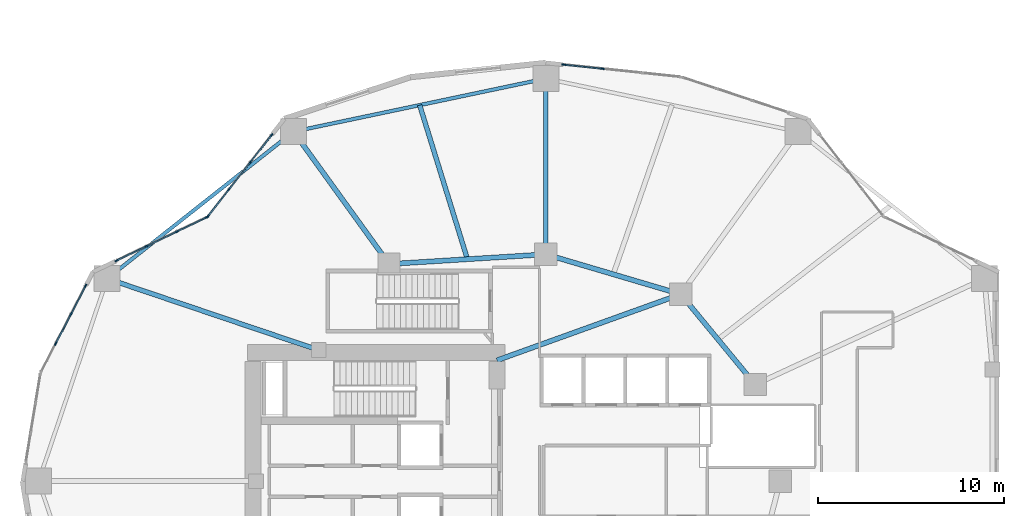
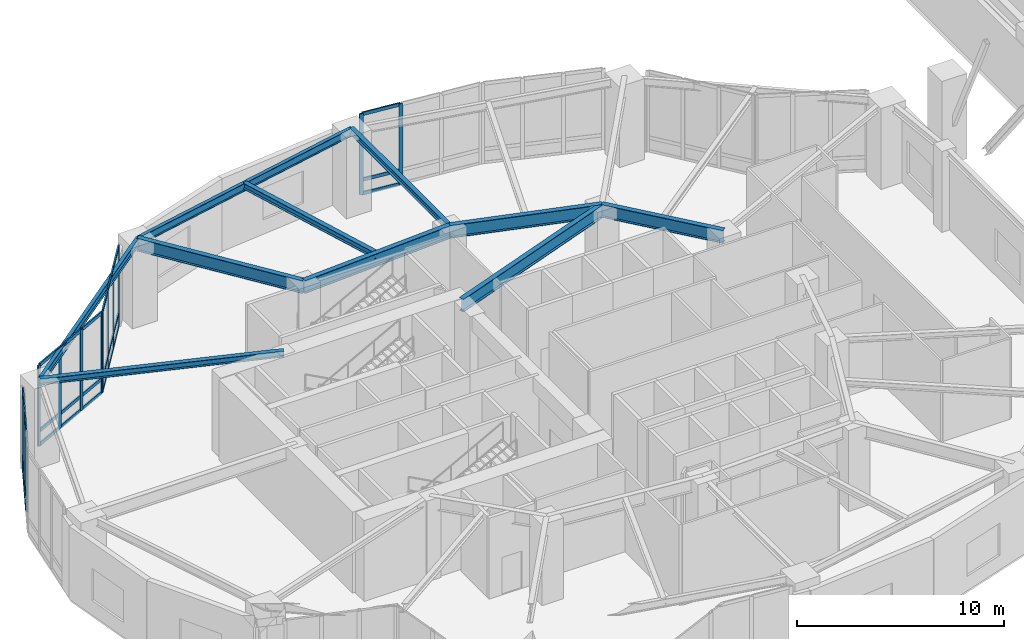
# One storey, part 6 of 24: 40 members, 10 beams, 4 elements without a shape of their own.
"""IFC4 building model written with IfcOpenShell, lengths in metres."""

from ifc_helpers import new_model, si_unit, direction, frame, origin, origin_2d, place, context, subcontext, project, spatial, rectangle, i_section, extrude, material, layer, layer_set, material_profile, profile_set, type_object, element, aggregate, save


model = new_model("IFC4")

# Units and contexts
model_context = context("Model", 3, precision=1e-05, world=origin(), true_north=direction((0.0, 1.0)))
body_context = subcontext(model_context, "Body", "Model", "MODEL_VIEW")
ifc_project = project(units=[si_unit("LENGTHUNIT", "METRE"), si_unit("AREAUNIT", "SQUARE_METRE"), si_unit("VOLUMEUNIT", "CUBIC_METRE"), si_unit("PLANEANGLEUNIT", "RADIAN"), si_unit("MASSUNIT", "GRAM", prefix="KILO")], contexts=[model_context])

# Site, building, storey
site_placement = place(None, origin())
site = spatial("IfcSite", under=ifc_project, at=site_placement, CompositionType="ELEMENT")
building_placement = place(site_placement, origin())
building = spatial("IfcBuilding", under=site, at=building_placement, Name="Kolvaren Gate Tower and Convention Centre", CompositionType="ELEMENT")
storey_placement = place(building_placement, frame((0.0, 0.0, 10.0)))
storey = spatial("IfcBuildingStorey", under=building, at=storey_placement, Name="L02", CompositionType="ELEMENT", Elevation=10.0)

# Curtain wall, members
ifc_material_1 = material(Name="Anodized Architectural Aluminium Alloy 6063-T6", Category="aluminium")
ifc_layer = layer(ifc_material_1, 0.179931640625)
ifc_layer_set = layer_set([ifc_layer], Name="Anodized Architectural Aluminium Alloy 6063-T6")
curtain_wall_type = type_object("IfcCurtainWallType", Name="CW-POD-GLZ", PredefinedType="NOTDEFINED", material=ifc_layer_set)
curtain_wall_1_placement = place(storey_placement, origin())
curtain_wall_1 = element("IfcCurtainWall", 1, at=curtain_wall_1_placement, inside=storey, type_object=curtain_wall_type, Name="Tower L02 Unitised Curtain Wall CW-POD-GLZ Bay 05", PredefinedType="NOTDEFINED")
ifc_material_profile_1 = material_profile(ifc_material_1, rectangle(XDim=0.074951171875, YDim=0.199951171875, at=origin_2d()), Name="CW-MEM-MUL-200")
ifc_profile_set_1 = profile_set([ifc_material_profile_1], Name="Anodized Architectural Aluminium Alloy 6063-T6")
member_type_1 = type_object("IfcMemberType", Name="CW-MEM-MUL-200", PredefinedType="MULLION", material=ifc_profile_set_1)
member_1_placement = place(storey_placement, frame((31.086181640625, 49.398681640625, 0.0), z_axis=(0.0, 0.0, 1.0), x_axis=(0.104748319841, 0.994498762941, 0.0)))
member_1 = element("IfcMember", 2, at=member_1_placement, type_object=member_type_1, Name="CW-01 mullion 1", PredefinedType="MULLION", context=body_context, shape_type="SweptSolid", body=[
    extrude(rectangle(XDim=0.074951171875, YDim=0.199951171875, at=origin_2d()), origin(), (0.0, 0.0, 1.0), 4.760009765625),
])
member_2_placement = place(storey_placement, frame((33.16748046875, 49.1796875, 0.0), z_axis=(0.0, 0.0, 1.0), x_axis=(0.104748319841, 0.994498762941, 0.0)))
member_2 = element("IfcMember", 3, at=member_2_placement, type_object=member_type_1, Name="CW-01 mullion 2", PredefinedType="MULLION", context=body_context, shape_type="SweptSolid", body=[
    extrude(rectangle(XDim=0.074951171875, YDim=0.199951171875, at=origin_2d()), origin(), (0.0, 0.0, 1.0), 4.760009765625),
])

curtain_wall_2_placement = place(storey_placement, origin())
curtain_wall_2 = element("IfcCurtainWall", 4, at=curtain_wall_2_placement, inside=storey, type_object=curtain_wall_type, Name="Tower L02 Unitised Curtain Wall CW-POD-GLZ Bay 08", PredefinedType="NOTDEFINED")
member_3_placement = place(storey_placement, frame((11.957763671875, 41.242431640625, 0.0), z_axis=(0.0, 0.0, 1.0), x_axis=(-0.787416755422, 0.616421003276, 0.0)))
member_3 = element("IfcMember", 5, at=member_3_placement, type_object=member_type_1, Name="CW-01 mullion 1", PredefinedType="MULLION", context=body_context, shape_type="SweptSolid", body=[
    extrude(rectangle(XDim=0.074951171875, YDim=0.199951171875, at=origin_2d()), origin(), (0.0, 0.0, 1.0), 4.760009765625),
])
member_4_placement = place(storey_placement, frame((13.08935546875, 42.68798828125, 0.0), z_axis=(0.0, 0.0, 1.0), x_axis=(-0.787416755422, 0.616421003276, 0.0)))
member_4 = element("IfcMember", 6, at=member_4_placement, type_object=member_type_1, Name="CW-01 mullion 2", PredefinedType="MULLION", context=body_context, shape_type="SweptSolid", body=[
    extrude(rectangle(XDim=0.074951171875, YDim=0.199951171875, at=origin_2d()), origin(), (0.0, 0.0, 1.0), 4.760009765625),
])
member_5_placement = place(storey_placement, frame((14.244140625, 44.1630859375, 0.0), z_axis=(0.0, 0.0, 1.0), x_axis=(-0.787416755422, 0.616421003276, 0.0)))
member_5 = element("IfcMember", 7, at=member_5_placement, type_object=member_type_1, Name="CW-01 mullion 3", PredefinedType="MULLION", context=body_context, shape_type="SweptSolid", body=[
    extrude(rectangle(XDim=0.074951171875, YDim=0.199951171875, at=origin_2d()), origin(), (0.0, 0.0, 1.0), 4.760009765625),
])
member_6_placement = place(storey_placement, frame((15.3759765625, 45.608642578125, 0.0), z_axis=(0.0, 0.0, 1.0), x_axis=(-0.787416755422, 0.616421003276, 0.0)))
member_6 = element("IfcMember", 8, at=member_6_placement, type_object=member_type_1, Name="CW-01 mullion 4", PredefinedType="MULLION", context=body_context, shape_type="SweptSolid", body=[
    extrude(rectangle(XDim=0.074951171875, YDim=0.199951171875, at=origin_2d()), origin(), (0.0, 0.0, 1.0), 4.760009765625),
])

curtain_wall_3_placement = place(storey_placement, origin())
curtain_wall_3 = element("IfcCurtainWall", 9, at=curtain_wall_3_placement, inside=storey, type_object=curtain_wall_type, Name="Tower L02 Unitised Curtain Wall CW-POD-GLZ Bay 09", PredefinedType="NOTDEFINED")
member_7_placement = place(storey_placement, frame((7.046630859375, 38.8642578125, 0.0), z_axis=(0.0, 0.0, 1.0), x_axis=(-0.433056703319, 0.901366679942, 0.0)))
member_7 = element("IfcMember", 10, at=member_7_placement, type_object=member_type_1, Name="CW-01 mullion 1", PredefinedType="MULLION", context=body_context, shape_type="SweptSolid", body=[
    extrude(rectangle(XDim=0.074951171875, YDim=0.199951171875, at=origin_2d()), origin(), (0.0, 0.0, 1.0), 4.760009765625),
])
member_8_placement = place(storey_placement, frame((8.6533203125, 39.63623046875, 0.0), z_axis=(0.0, 0.0, 1.0), x_axis=(-0.433056703319, 0.901366679942, 0.0)))
member_8 = element("IfcMember", 11, at=member_8_placement, type_object=member_type_1, Name="CW-01 mullion 2", PredefinedType="MULLION", context=body_context, shape_type="SweptSolid", body=[
    extrude(rectangle(XDim=0.074951171875, YDim=0.199951171875, at=origin_2d()), origin(), (0.0, 0.0, 1.0), 4.760009765625),
])
member_9_placement = place(storey_placement, frame((10.2939453125, 40.424560546875, 0.0), z_axis=(0.0, 0.0, 1.0), x_axis=(-0.433056703319, 0.901366679942, 0.0)))
member_9 = element("IfcMember", 12, at=member_9_placement, type_object=member_type_1, Name="CW-01 mullion 3", PredefinedType="MULLION", context=body_context, shape_type="SweptSolid", body=[
    extrude(rectangle(XDim=0.074951171875, YDim=0.199951171875, at=origin_2d()), origin(), (0.0, 0.0, 1.0), 4.760009765625),
])
member_10_placement = place(storey_placement, frame((11.90087890625, 41.196533203125, 0.0), z_axis=(0.0, 0.0, 1.0), x_axis=(-0.433056703319, 0.901366679942, 0.0)))
member_10 = element("IfcMember", 13, at=member_10_placement, type_object=member_type_1, Name="CW-01 mullion 4", PredefinedType="MULLION", context=body_context, shape_type="SweptSolid", body=[
    extrude(rectangle(XDim=0.074951171875, YDim=0.199951171875, at=origin_2d()), origin(), (0.0, 0.0, 1.0), 4.760009765625),
])

curtain_wall_4_placement = place(storey_placement, origin())
curtain_wall_4 = element("IfcCurtainWall", 14, at=curtain_wall_4_placement, inside=storey, type_object=curtain_wall_type, Name="Tower L02 Unitised Curtain Wall CW-POD-GLZ Bay 10", PredefinedType="NOTDEFINED")
member_11_placement = place(storey_placement, frame((3.77197265625, 34.39501953125, 0.0), z_axis=(0.0, 0.0, 1.0), x_axis=(-0.888028058024, 0.459789264949, 0.0)))
member_11 = element("IfcMember", 15, at=member_11_placement, type_object=member_type_1, Name="CW-01 mullion 2", PredefinedType="MULLION", context=body_context, shape_type="SweptSolid", body=[
    extrude(rectangle(XDim=0.074951171875, YDim=0.199951171875, at=origin_2d()), origin(), (0.0, 0.0, 1.0), 4.760009765625),
])
member_12_placement = place(storey_placement, frame((4.585693359375, 35.96630859375, 0.0), z_axis=(0.0, 0.0, 1.0), x_axis=(-0.888028058024, 0.459789264949, 0.0)))
member_12 = element("IfcMember", 16, at=member_12_placement, type_object=member_type_1, Name="CW-01 mullion 3", PredefinedType="MULLION", context=body_context, shape_type="SweptSolid", body=[
    extrude(rectangle(XDim=0.074951171875, YDim=0.199951171875, at=origin_2d()), origin(), (0.0, 0.0, 1.0), 4.760009765625),
])
member_13_placement = place(storey_placement, frame((5.382080078125, 37.504638671875, 0.0), z_axis=(0.0, 0.0, 1.0), x_axis=(-0.888028058024, 0.459789264949, 0.0)))
member_13 = element("IfcMember", 17, at=member_13_placement, type_object=member_type_1, Name="CW-01 mullion 4", PredefinedType="MULLION", context=body_context, shape_type="SweptSolid", body=[
    extrude(rectangle(XDim=0.074951171875, YDim=0.199951171875, at=origin_2d()), origin(), (0.0, 0.0, 1.0), 4.760009765625),
])

# Member
ifc_material_profile_2 = material_profile(ifc_material_1, rectangle(XDim=0.074951171875, YDim=0.199951171875, at=origin_2d()), Name="CW-MEM-TRN-200")
ifc_profile_set_2 = profile_set([ifc_material_profile_2], Name="Anodized Architectural Aluminium Alloy 6063-T6")
member_type_2 = type_object("IfcMemberType", Name="CW-MEM-TRN-200", PredefinedType="USERDEFINED", material=ifc_profile_set_2)
member_14_placement = place(storey_placement, frame((31.12353515625, 49.394775390625, 0.03759765625), z_axis=(0.9945074418, -0.104665888448, 0.0), x_axis=(0.104665888448, 0.9945074418, 0.0)))
member_14 = element("IfcMember", 18, at=member_14_placement, type_object=member_type_2, Name="CW-01 transom 1.1", ObjectType="TRANSOM", PredefinedType="USERDEFINED", context=body_context, shape_type="SweptSolid", body=[
    extrude(rectangle(XDim=0.074951171875, YDim=0.199951171875, at=origin_2d()), origin(), (0.0, 0.0, 1.0), 2.017578125),
])

member_15_placement = place(storey_placement, frame((31.12353515625, 49.394775390625, 0.85009765625), z_axis=(0.9945074418, -0.104665888448, 0.0), x_axis=(0.104665888448, 0.9945074418, 0.0)))
member_15 = element("IfcMember", 19, at=member_15_placement, type_object=member_type_2, Name="CW-01 transom 1.2", ObjectType="TRANSOM", PredefinedType="USERDEFINED", context=body_context, shape_type="SweptSolid", body=[
    extrude(rectangle(XDim=0.074951171875, YDim=0.199951171875, at=origin_2d()), origin(), (0.0, 0.0, 1.0), 2.017578125),
])

member_16_placement = place(storey_placement, frame((31.12353515625, 49.394775390625, 4.722412109375), z_axis=(0.9945074418, -0.104665888448, 0.0), x_axis=(0.104665888448, 0.9945074418, 0.0)))
member_16 = element("IfcMember", 20, at=member_16_placement, type_object=member_type_2, Name="CW-01 transom 1.3", ObjectType="TRANSOM", PredefinedType="USERDEFINED", context=body_context, shape_type="SweptSolid", body=[
    extrude(rectangle(XDim=0.074951171875, YDim=0.199951171875, at=origin_2d()), origin(), (0.0, 0.0, 1.0), 2.017578125),
])

aggregate(curtain_wall_1, [member_1, member_2, member_14, member_15, member_16])

member_17_placement = place(storey_placement, frame((11.98095703125, 41.27197265625, 0.03759765625), z_axis=(0.616442840137, 0.787399660175, 0.0), x_axis=(-0.787399660175, 0.616442840137, 0.0)))
member_17 = element("IfcMember", 21, at=member_17_placement, type_object=member_type_2, Name="CW-01 transom 1.1", ObjectType="TRANSOM", PredefinedType="USERDEFINED", context=body_context, shape_type="SweptSolid", body=[
    extrude(rectangle(XDim=0.074951171875, YDim=0.199951171875, at=origin_2d()), origin(), (0.0, 0.0, 1.0), 1.7607421875),
])

member_18_placement = place(storey_placement, frame((11.98095703125, 41.27197265625, 0.85009765625), z_axis=(0.616442840137, 0.787399660175, 0.0), x_axis=(-0.787399660175, 0.616442840137, 0.0)))
member_18 = element("IfcMember", 22, at=member_18_placement, type_object=member_type_2, Name="CW-01 transom 1.2", ObjectType="TRANSOM", PredefinedType="USERDEFINED", context=body_context, shape_type="SweptSolid", body=[
    extrude(rectangle(XDim=0.074951171875, YDim=0.199951171875, at=origin_2d()), origin(), (0.0, 0.0, 1.0), 1.7607421875),
])

member_19_placement = place(storey_placement, frame((11.98095703125, 41.27197265625, 4.722412109375), z_axis=(0.616442840137, 0.787399660175, 0.0), x_axis=(-0.787399660175, 0.616442840137, 0.0)))
member_19 = element("IfcMember", 23, at=member_19_placement, type_object=member_type_2, Name="CW-01 transom 1.3", ObjectType="TRANSOM", PredefinedType="USERDEFINED", context=body_context, shape_type="SweptSolid", body=[
    extrude(rectangle(XDim=0.074951171875, YDim=0.199951171875, at=origin_2d()), origin(), (0.0, 0.0, 1.0), 1.7607421875),
])

member_20_placement = place(storey_placement, frame((13.112548828125, 42.717529296875, 0.03759765625), z_axis=(0.616465649316, 0.787381802694, 0.0), x_axis=(-0.787381802694, 0.616465649316, 0.0)))
member_20 = element("IfcMember", 24, at=member_20_placement, type_object=member_type_2, Name="CW-01 transom 2.1", ObjectType="TRANSOM", PredefinedType="USERDEFINED", context=body_context, shape_type="SweptSolid", body=[
    extrude(rectangle(XDim=0.074951171875, YDim=0.199951171875, at=origin_2d()), origin(), (0.0, 0.0, 1.0), 1.79833984375),
])

member_21_placement = place(storey_placement, frame((13.112548828125, 42.717529296875, 0.85009765625), z_axis=(0.616465649316, 0.787381802694, 0.0), x_axis=(-0.787381802694, 0.616465649316, 0.0)))
member_21 = element("IfcMember", 25, at=member_21_placement, type_object=member_type_2, Name="CW-01 transom 2.2", ObjectType="TRANSOM", PredefinedType="USERDEFINED", context=body_context, shape_type="SweptSolid", body=[
    extrude(rectangle(XDim=0.074951171875, YDim=0.199951171875, at=origin_2d()), origin(), (0.0, 0.0, 1.0), 1.79833984375),
])

member_22_placement = place(storey_placement, frame((13.112548828125, 42.717529296875, 4.722412109375), z_axis=(0.616465649316, 0.787381802694, 0.0), x_axis=(-0.787381802694, 0.616465649316, 0.0)))
member_22 = element("IfcMember", 26, at=member_22_placement, type_object=member_type_2, Name="CW-01 transom 2.3", ObjectType="TRANSOM", PredefinedType="USERDEFINED", context=body_context, shape_type="SweptSolid", body=[
    extrude(rectangle(XDim=0.074951171875, YDim=0.199951171875, at=origin_2d()), origin(), (0.0, 0.0, 1.0), 1.79833984375),
])

member_23_placement = place(storey_placement, frame((14.267333984375, 44.192626953125, 0.03759765625), z_axis=(0.616442840137, 0.787399660175, 0.0), x_axis=(-0.787399660175, 0.616442840137, 0.0)))
member_23 = element("IfcMember", 27, at=member_23_placement, type_object=member_type_2, Name="CW-01 transom 3.1", ObjectType="TRANSOM", PredefinedType="USERDEFINED", context=body_context, shape_type="SweptSolid", body=[
    extrude(rectangle(XDim=0.074951171875, YDim=0.199951171875, at=origin_2d()), origin(), (0.0, 0.0, 1.0), 1.7607421875),
])

member_24_placement = place(storey_placement, frame((14.267333984375, 44.192626953125, 0.85009765625), z_axis=(0.616442840137, 0.787399660175, 0.0), x_axis=(-0.787399660175, 0.616442840137, 0.0)))
member_24 = element("IfcMember", 28, at=member_24_placement, type_object=member_type_2, Name="CW-01 transom 3.2", ObjectType="TRANSOM", PredefinedType="USERDEFINED", context=body_context, shape_type="SweptSolid", body=[
    extrude(rectangle(XDim=0.074951171875, YDim=0.199951171875, at=origin_2d()), origin(), (0.0, 0.0, 1.0), 1.7607421875),
])

member_25_placement = place(storey_placement, frame((14.267333984375, 44.192626953125, 4.722412109375), z_axis=(0.616442840137, 0.787399660175, 0.0), x_axis=(-0.787399660175, 0.616442840137, 0.0)))
member_25 = element("IfcMember", 29, at=member_25_placement, type_object=member_type_2, Name="CW-01 transom 3.3", ObjectType="TRANSOM", PredefinedType="USERDEFINED", context=body_context, shape_type="SweptSolid", body=[
    extrude(rectangle(XDim=0.074951171875, YDim=0.199951171875, at=origin_2d()), origin(), (0.0, 0.0, 1.0), 1.7607421875),
])

aggregate(curtain_wall_2, [member_3, member_4, member_5, member_6, member_17, member_18, member_19, member_20, member_21, member_22, member_23, member_24, member_25])

member_26_placement = place(storey_placement, frame((7.080322265625, 38.880615234375, 0.03759765625), z_axis=(0.901377999465, 0.433033142011, 0.0), x_axis=(-0.433033142011, 0.901377999465, 0.0)))
member_26 = element("IfcMember", 30, at=member_26_placement, type_object=member_type_2, Name="CW-01 transom 1.1", ObjectType="TRANSOM", PredefinedType="USERDEFINED", context=body_context, shape_type="SweptSolid", body=[
    extrude(rectangle(XDim=0.074951171875, YDim=0.199951171875, at=origin_2d()), origin(), (0.0, 0.0, 1.0), 1.707763671875),
])

member_27_placement = place(storey_placement, frame((7.080322265625, 38.880615234375, 0.85009765625), z_axis=(0.901377999465, 0.433033142011, 0.0), x_axis=(-0.433033142011, 0.901377999465, 0.0)))
member_27 = element("IfcMember", 31, at=member_27_placement, type_object=member_type_2, Name="CW-01 transom 1.2", ObjectType="TRANSOM", PredefinedType="USERDEFINED", context=body_context, shape_type="SweptSolid", body=[
    extrude(rectangle(XDim=0.074951171875, YDim=0.199951171875, at=origin_2d()), origin(), (0.0, 0.0, 1.0), 1.707763671875),
])

member_28_placement = place(storey_placement, frame((7.080322265625, 38.880615234375, 4.722412109375), z_axis=(0.901377999465, 0.433033142011, 0.0), x_axis=(-0.433033142011, 0.901377999465, 0.0)))
member_28 = element("IfcMember", 32, at=member_28_placement, type_object=member_type_2, Name="CW-01 transom 1.3", ObjectType="TRANSOM", PredefinedType="USERDEFINED", context=body_context, shape_type="SweptSolid", body=[
    extrude(rectangle(XDim=0.074951171875, YDim=0.199951171875, at=origin_2d()), origin(), (0.0, 0.0, 1.0), 1.707763671875),
])

member_29_placement = place(storey_placement, frame((8.687255859375, 39.652587890625, 0.03759765625), z_axis=(0.901339603895, 0.433113055046, 0.0), x_axis=(-0.433113055046, 0.901339603895, 0.0)))
member_29 = element("IfcMember", 33, at=member_29_placement, type_object=member_type_2, Name="CW-01 transom 2.1", ObjectType="TRANSOM", PredefinedType="USERDEFINED", context=body_context, shape_type="SweptSolid", body=[
    extrude(rectangle(XDim=0.074951171875, YDim=0.199951171875, at=origin_2d()), origin(), (0.0, 0.0, 1.0), 1.7451171875),
])

member_30_placement = place(storey_placement, frame((8.687255859375, 39.652587890625, 0.85009765625), z_axis=(0.901339603895, 0.433113055046, 0.0), x_axis=(-0.433113055046, 0.901339603895, 0.0)))
member_30 = element("IfcMember", 34, at=member_30_placement, type_object=member_type_2, Name="CW-01 transom 2.2", ObjectType="TRANSOM", PredefinedType="USERDEFINED", context=body_context, shape_type="SweptSolid", body=[
    extrude(rectangle(XDim=0.074951171875, YDim=0.199951171875, at=origin_2d()), origin(), (0.0, 0.0, 1.0), 1.7451171875),
])

member_31_placement = place(storey_placement, frame((8.687255859375, 39.652587890625, 4.722412109375), z_axis=(0.901339603895, 0.433113055046, 0.0), x_axis=(-0.433113055046, 0.901339603895, 0.0)))
member_31 = element("IfcMember", 35, at=member_31_placement, type_object=member_type_2, Name="CW-01 transom 2.3", ObjectType="TRANSOM", PredefinedType="USERDEFINED", context=body_context, shape_type="SweptSolid", body=[
    extrude(rectangle(XDim=0.074951171875, YDim=0.199951171875, at=origin_2d()), origin(), (0.0, 0.0, 1.0), 1.7451171875),
])

member_32_placement = place(storey_placement, frame((10.327880859375, 40.44091796875, 0.03759765625), z_axis=(0.901377999465, 0.433033142011, 0.0), x_axis=(-0.433033142011, 0.901377999465, 0.0)))
member_32 = element("IfcMember", 36, at=member_32_placement, type_object=member_type_2, Name="CW-01 transom 3.1", ObjectType="TRANSOM", PredefinedType="USERDEFINED", context=body_context, shape_type="SweptSolid", body=[
    extrude(rectangle(XDim=0.074951171875, YDim=0.199951171875, at=origin_2d()), origin(), (0.0, 0.0, 1.0), 1.707763671875),
])

member_33_placement = place(storey_placement, frame((10.327880859375, 40.44091796875, 0.85009765625), z_axis=(0.901377999465, 0.433033142011, 0.0), x_axis=(-0.433033142011, 0.901377999465, 0.0)))
member_33 = element("IfcMember", 37, at=member_33_placement, type_object=member_type_2, Name="CW-01 transom 3.2", ObjectType="TRANSOM", PredefinedType="USERDEFINED", context=body_context, shape_type="SweptSolid", body=[
    extrude(rectangle(XDim=0.074951171875, YDim=0.199951171875, at=origin_2d()), origin(), (0.0, 0.0, 1.0), 1.707763671875),
])

member_34_placement = place(storey_placement, frame((10.327880859375, 40.44091796875, 4.722412109375), z_axis=(0.901377999465, 0.433033142011, 0.0), x_axis=(-0.433033142011, 0.901377999465, 0.0)))
member_34 = element("IfcMember", 38, at=member_34_placement, type_object=member_type_2, Name="CW-01 transom 3.3", ObjectType="TRANSOM", PredefinedType="USERDEFINED", context=body_context, shape_type="SweptSolid", body=[
    extrude(rectangle(XDim=0.074951171875, YDim=0.199951171875, at=origin_2d()), origin(), (0.0, 0.0, 1.0), 1.707763671875),
])

aggregate(curtain_wall_3, [member_7, member_8, member_9, member_10, member_26, member_27, member_28, member_29, member_30, member_31, member_32, member_33, member_34])

member_35_placement = place(storey_placement, frame((3.789306640625, 34.42822265625, 0.03759765625), z_axis=(0.459732523295, 0.888057434531, 0.0), x_axis=(-0.888057434531, 0.459732523295, 0.0)))
member_35 = element("IfcMember", 39, at=member_35_placement, type_object=member_type_2, Name="CW-01 transom 2.1", ObjectType="TRANSOM", PredefinedType="USERDEFINED", context=body_context, shape_type="SweptSolid", body=[
    extrude(rectangle(XDim=0.074951171875, YDim=0.199951171875, at=origin_2d()), origin(), (0.0, 0.0, 1.0), 1.694580078125),
])

member_36_placement = place(storey_placement, frame((3.789306640625, 34.42822265625, 0.85009765625), z_axis=(0.459732523295, 0.888057434531, 0.0), x_axis=(-0.888057434531, 0.459732523295, 0.0)))
member_36 = element("IfcMember", 40, at=member_36_placement, type_object=member_type_2, Name="CW-01 transom 2.2", ObjectType="TRANSOM", PredefinedType="USERDEFINED", context=body_context, shape_type="SweptSolid", body=[
    extrude(rectangle(XDim=0.074951171875, YDim=0.199951171875, at=origin_2d()), origin(), (0.0, 0.0, 1.0), 1.694580078125),
])

member_37_placement = place(storey_placement, frame((3.789306640625, 34.42822265625, 4.722412109375), z_axis=(0.459732523295, 0.888057434531, 0.0), x_axis=(-0.888057434531, 0.459732523295, 0.0)))
member_37 = element("IfcMember", 41, at=member_37_placement, type_object=member_type_2, Name="CW-01 transom 2.3", ObjectType="TRANSOM", PredefinedType="USERDEFINED", context=body_context, shape_type="SweptSolid", body=[
    extrude(rectangle(XDim=0.074951171875, YDim=0.199951171875, at=origin_2d()), origin(), (0.0, 0.0, 1.0), 1.694580078125),
])

member_38_placement = place(storey_placement, frame((4.602783203125, 35.999755859375, 0.03759765625), z_axis=(0.459839725039, 0.88800192977, 0.0), x_axis=(-0.88800192977, 0.459839725039, 0.0)))
member_38 = element("IfcMember", 42, at=member_38_placement, type_object=member_type_2, Name="CW-01 transom 3.1", ObjectType="TRANSOM", PredefinedType="USERDEFINED", context=body_context, shape_type="SweptSolid", body=[
    extrude(rectangle(XDim=0.074951171875, YDim=0.199951171875, at=origin_2d()), origin(), (0.0, 0.0, 1.0), 1.656982421875),
])

member_39_placement = place(storey_placement, frame((4.602783203125, 35.999755859375, 0.85009765625), z_axis=(0.459839725039, 0.88800192977, 0.0), x_axis=(-0.88800192977, 0.459839725039, 0.0)))
member_39 = element("IfcMember", 43, at=member_39_placement, type_object=member_type_2, Name="CW-01 transom 3.2", ObjectType="TRANSOM", PredefinedType="USERDEFINED", context=body_context, shape_type="SweptSolid", body=[
    extrude(rectangle(XDim=0.074951171875, YDim=0.199951171875, at=origin_2d()), origin(), (0.0, 0.0, 1.0), 1.656982421875),
])

member_40_placement = place(storey_placement, frame((4.602783203125, 35.999755859375, 4.722412109375), z_axis=(0.459839725039, 0.88800192977, 0.0), x_axis=(-0.88800192977, 0.459839725039, 0.0)))
member_40 = element("IfcMember", 44, at=member_40_placement, type_object=member_type_2, Name="CW-01 transom 3.3", ObjectType="TRANSOM", PredefinedType="USERDEFINED", context=body_context, shape_type="SweptSolid", body=[
    extrude(rectangle(XDim=0.074951171875, YDim=0.199951171875, at=origin_2d()), origin(), (0.0, 0.0, 1.0), 1.656982421875),
])

aggregate(curtain_wall_4, [member_11, member_12, member_13, member_35, member_36, member_37, member_38, member_39, member_40])

# Beams
ifc_material_2 = material(Name="Structural steel ASTM A992 Grade 345 MPa", Category="steel")
ifc_material_profile_3 = material_profile(ifc_material_2, i_section(OverallWidth=0.26806640625, OverallDepth=0.758056640625, WebThickness=0.016357421875, FlangeThickness=0.025390625, at=origin_2d()), Name="W760X220")
ifc_profile_set_3 = profile_set([ifc_material_profile_3], Name="Structural steel ASTM A992 Grade 345 MPa")
beam_type_1 = type_object("IfcBeamType", Name="STR-BM-W760X220", PredefinedType="BEAM", material=ifc_profile_set_3)
beam_1_placement = place(storey_placement, frame((41.382080078125, 32.199462890625, 4.381103515625), z_axis=(-0.635884066011, 0.771784590798, 0.0), x_axis=(-0.771784590798, -0.635884066011, 0.0)))
element("IfcBeam", 45, at=beam_1_placement, inside=storey, type_object=beam_type_1, Name="Tower L02 Primary Ring Girder G-02", PredefinedType="BEAM", context=body_context, shape_type="SweptSolid", body=[
    extrude(i_section(OverallWidth=0.26806640625, OverallDepth=0.758056640625, WebThickness=0.016357421875, FlangeThickness=0.025390625, at=origin_2d()), origin(), (0.0, 0.0, 1.0), 6.291259765625),
])
beam_2_placement = place(storey_placement, frame((37.381591796875, 37.054931640625, 4.381103515625), z_axis=(-0.958980837827, 0.283470902706, 0.0), x_axis=(-0.283470902706, -0.958980837827, 0.0)))
element("IfcBeam", 46, at=beam_2_placement, inside=storey, type_object=beam_type_1, Name="Tower L02 Primary Ring Girder G-03", PredefinedType="BEAM", context=body_context, shape_type="SweptSolid", body=[
    extrude(i_section(OverallWidth=0.26806640625, OverallDepth=0.758056640625, WebThickness=0.016357421875, FlangeThickness=0.025390625, at=origin_2d()), origin(), (0.0, 0.0, 1.0), 7.56689453125),
])
beam_3_placement = place(storey_placement, frame((30.125, 39.199951171875, 4.381103515625), z_axis=(-0.998078258568, -0.06196603726, 0.0), x_axis=(0.06196603726, -0.998078258568, 0.0)))
element("IfcBeam", 47, at=beam_3_placement, inside=storey, type_object=beam_type_1, Name="Tower L02 Primary Ring Girder G-04", PredefinedType="BEAM", context=body_context, shape_type="SweptSolid", body=[
    extrude(i_section(OverallWidth=0.26806640625, OverallDepth=0.758056640625, WebThickness=0.016357421875, FlangeThickness=0.025390625, at=origin_2d()), origin(), (0.0, 0.0, 1.0), 8.443115234375),
])
beam_4_placement = place(storey_placement, frame((27.5, 33.5, 4.381103515625), z_axis=(0.940961479908, 0.338513653093, 0.0), x_axis=(-0.338513653093, 0.940961479908, 0.0)))
element("IfcBeam", 48, at=beam_4_placement, inside=storey, type_object=beam_type_1, Name="Tower L02 Primary Ring Girder G-10", PredefinedType="BEAM", context=body_context, shape_type="SweptSolid", body=[
    extrude(i_section(OverallWidth=0.26806640625, OverallDepth=0.758056640625, WebThickness=0.016357421875, FlangeThickness=0.025390625, at=origin_2d()), origin(), (0.0, 0.0, 1.0), 10.501708984375),
])
beam_5_placement = place(storey_placement, frame((21.697998046875, 38.6767578125, 4.381103515625), z_axis=(-0.585208283095, 0.810883015852, 0.0), x_axis=(-0.810883015852, -0.585208283095, 0.0)))
element("IfcBeam", 49, at=beam_5_placement, inside=storey, type_object=beam_type_1, Name="Tower L02 Radial Floor Girder RB-05", PredefinedType="BEAM", context=body_context, shape_type="SweptSolid", body=[
    extrude(i_section(OverallWidth=0.26806640625, OverallDepth=0.758056640625, WebThickness=0.016357421875, FlangeThickness=0.025390625, at=origin_2d()), origin(), (0.0, 0.0, 1.0), 8.780029296875),
])
ifc_material_profile_4 = material_profile(ifc_material_2, i_section(OverallWidth=0.2548828125, OverallDepth=0.35693359375, WebThickness=0.010498046875, FlangeThickness=0.018310546875, at=origin_2d()), Name="W360X101")
ifc_profile_set_4 = profile_set([ifc_material_profile_4], Name="Structural steel ASTM A992 Grade 345 MPa")
beam_type_2 = type_object("IfcBeamType", Name="STR-JS-W360X101", PredefinedType="JOIST", material=ifc_profile_set_4)
beam_6_placement = place(storey_placement, frame((30.125, 39.199951171875, 4.58154296875), z_axis=(0.0, 1.0, 0.0), x_axis=(-1.0, 0.0, 0.0)))
element("IfcBeam", 50, at=beam_6_placement, inside=storey, type_object=beam_type_2, Name="Tower L02 Radial Floor Girder RB-04", PredefinedType="JOIST", context=body_context, shape_type="SweptSolid", body=[
    extrude(i_section(OverallWidth=0.2548828125, OverallDepth=0.35693359375, WebThickness=0.010498046875, FlangeThickness=0.018310546875, at=origin_2d()), origin(), (0.0, 0.0, 1.0), 9.449951171875),
])
beam_7_placement = place(storey_placement, frame((17.9140625, 34.050048828125, 4.58154296875), z_axis=(-0.947373842609, 0.320129352512, 0.0), x_axis=(-0.320129352512, -0.947373842609, 0.0)))
element("IfcBeam", 51, at=beam_7_placement, inside=storey, type_object=beam_type_2, Name="Tower L02 Radial Floor Girder RB-06", PredefinedType="JOIST", context=body_context, shape_type="SweptSolid", body=[
    extrude(i_section(OverallWidth=0.2548828125, OverallDepth=0.35693359375, WebThickness=0.010498046875, FlangeThickness=0.018310546875, at=origin_2d()), origin(), (0.0, 0.0, 1.0), 12.006103515625),
])
beam_8_placement = place(storey_placement, frame((25.91162109375, 38.938232421875, 4.58154296875), z_axis=(-0.296205333134, 0.955124285433, 0.0), x_axis=(-0.955124285433, -0.296205333134, 0.0)))
element("IfcBeam", 52, at=beam_8_placement, inside=storey, type_object=beam_type_2, Name="Tower L02 Secondary Composite Floor Joist J-04.1", PredefinedType="JOIST", context=body_context, shape_type="SweptSolid", body=[
    extrude(i_section(OverallWidth=0.2548828125, OverallDepth=0.35693359375, WebThickness=0.010498046875, FlangeThickness=0.018310546875, at=origin_2d()), origin(), (0.0, 0.0, 1.0), 8.674072265625),
])
ifc_material_profile_5 = material_profile(ifc_material_2, i_section(OverallWidth=0.194091796875, OverallDepth=0.468994140625, WebThickness=0.0126953125, FlangeThickness=0.0205078125, at=origin_2d()), Name="W460X106")
ifc_profile_set_5 = profile_set([ifc_material_profile_5], Name="Structural steel ASTM A992 Grade 345 MPa")
beam_type_3 = type_object("IfcBeamType", Name="STR-SP-W460X106", PredefinedType="SPANDREL", material=ifc_profile_set_5)
beam_9_placement = place(storey_placement, frame((30.125, 48.64990234375, 4.525390625), z_axis=(-0.978583407863, -0.205850707685, 0.0), x_axis=(0.205850707685, -0.978583407863, 0.0)))
element("IfcBeam", 53, at=beam_9_placement, inside=storey, type_object=beam_type_3, Name="Tower L02 Perimeter Spandrel Beam SP-04", PredefinedType="SPANDREL", context=body_context, shape_type="SweptSolid", body=[
    extrude(i_section(OverallWidth=0.194091796875, OverallDepth=0.468994140625, WebThickness=0.0126953125, FlangeThickness=0.0205078125, at=origin_2d()), origin(), (0.0, 0.0, 1.0), 13.862060546875),
])
beam_10_placement = place(storey_placement, frame((16.559814453125, 45.79638671875, 4.525390625), z_axis=(-0.785176498861, -0.619272044933, 0.0), x_axis=(0.619272044933, -0.785176498861, 0.0)))
element("IfcBeam", 54, at=beam_10_placement, inside=storey, type_object=beam_type_3, Name="Tower L02 Perimeter Spandrel Beam SP-05", PredefinedType="SPANDREL", context=body_context, shape_type="SweptSolid", body=[
    extrude(i_section(OverallWidth=0.194091796875, OverallDepth=0.468994140625, WebThickness=0.0126953125, FlangeThickness=0.0205078125, at=origin_2d()), origin(), (0.0, 0.0, 1.0), 12.761474609375),
])

save(model, "model.ifc")
